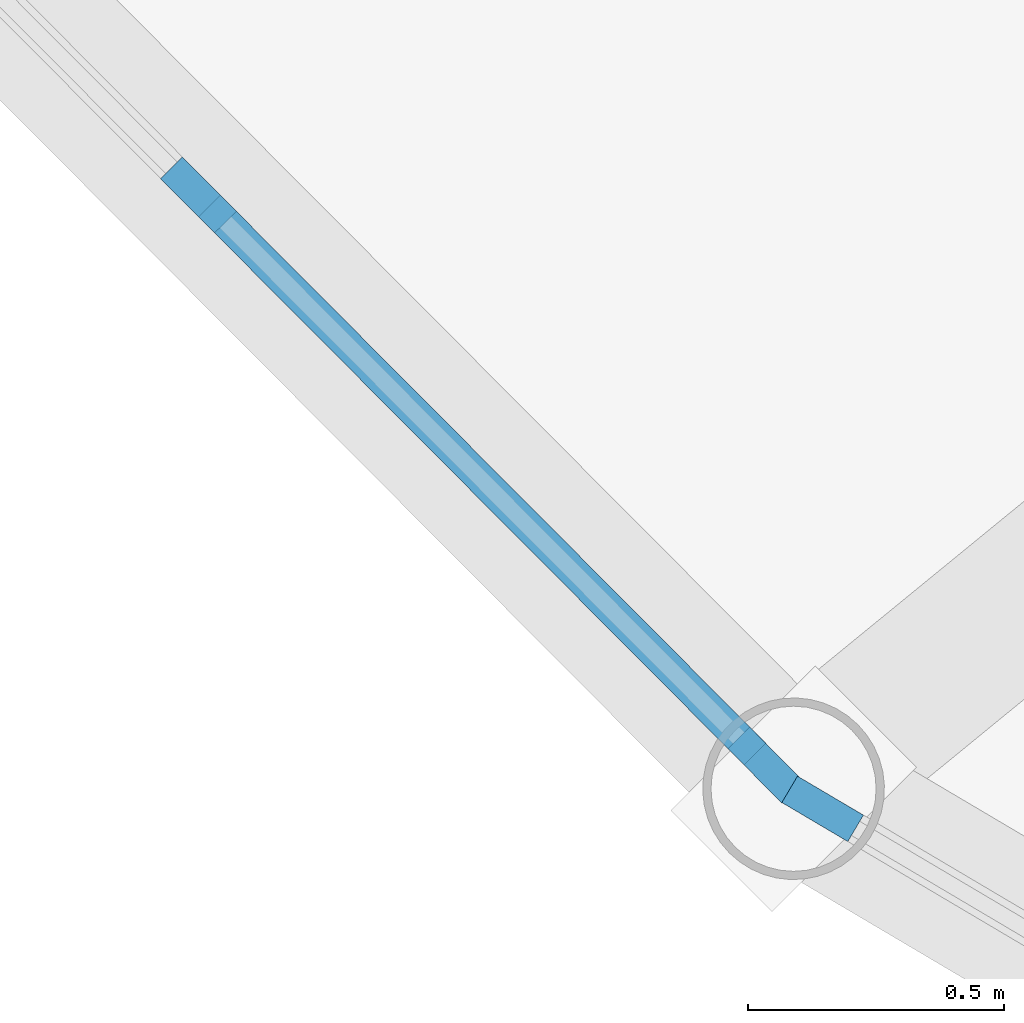
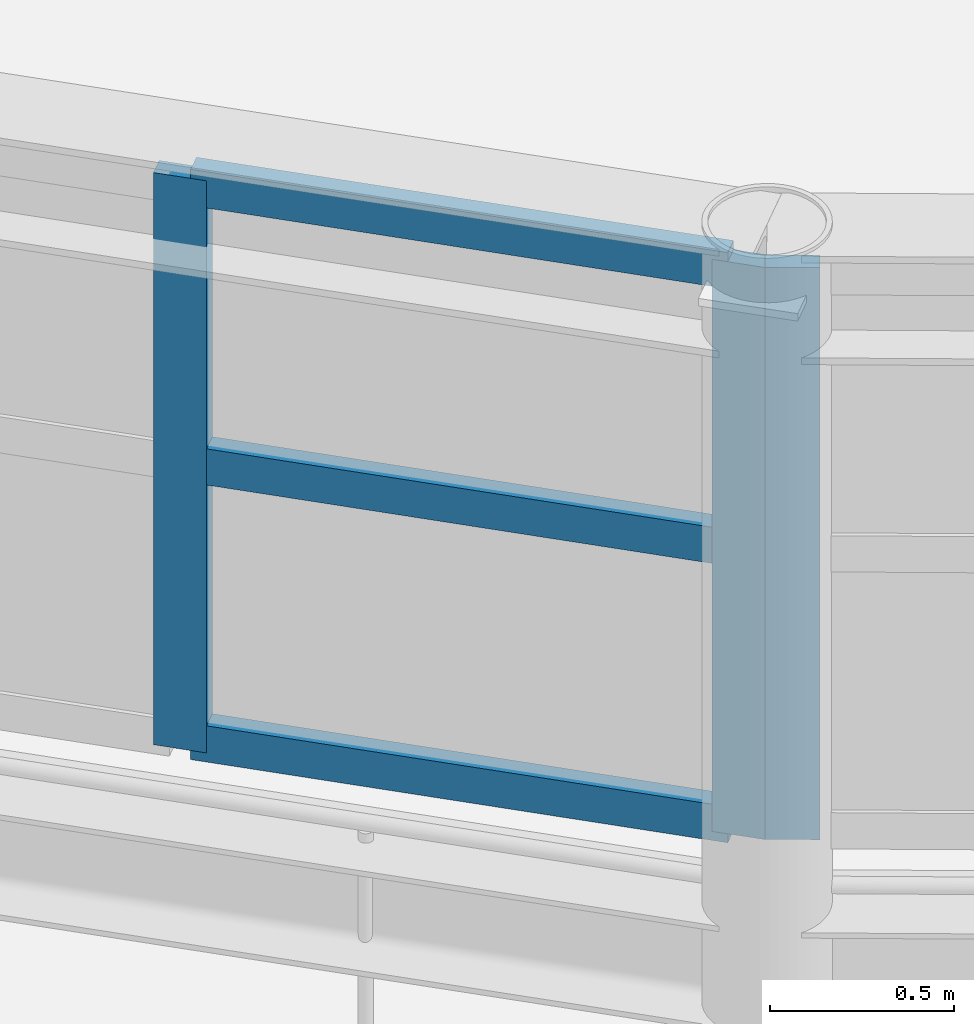
# One storey, part 30 of 123: 6 members, 2 elements without a shape of their own.
"""IFC4 building model written with IfcOpenShell, lengths in metres."""

from ifc_helpers import new_model, si_unit, direction, frame, origin, origin_2d, place, context, subcontext, project, spatial, rectangle, extrude, material, material_profile, profile_set, type_object, element, aggregate, save


model = new_model("IFC4")

# Units and contexts
model_context = context("Model", 3, precision=1e-05, world=origin(), true_north=direction((0.0, 1.0)))
body_context = subcontext(model_context, "Body", "Model", "MODEL_VIEW")
ifc_project = project(units=[si_unit("LENGTHUNIT", "METRE"), si_unit("AREAUNIT", "SQUARE_METRE"), si_unit("VOLUMEUNIT", "CUBIC_METRE"), si_unit("PLANEANGLEUNIT", "RADIAN"), si_unit("MASSUNIT", "GRAM", prefix="KILO")], contexts=[model_context])

# Site, building, storey
site_placement = place(None, origin())
site = spatial("IfcSite", under=ifc_project, at=site_placement, CompositionType="ELEMENT")
building_placement = place(site_placement, origin())
building = spatial("IfcBuilding", under=site, at=building_placement, Name="Kildeholm Park Wholesale Market", CompositionType="ELEMENT")
storey_placement = place(building_placement, frame((0.0, 0.0, 9.60009765625)))
storey = spatial("IfcBuildingStorey", under=building, at=storey_placement, Name="L02", CompositionType="ELEMENT", Elevation=9.60009765625)

# Curtain wall, members
ifc_material_1 = material(Name="Anodised aluminium and low-E double-glazed glass", Category="aluminium")
curtain_wall_type = type_object("IfcCurtainWallType", Name="Clerestory daylight stick curtain wall CW-02", PredefinedType="NOTDEFINED", material=ifc_material_1)
curtain_wall_1_placement = place(storey_placement, origin())
curtain_wall_1 = element("IfcCurtainWall", 1, at=curtain_wall_1_placement, inside=storey, type_object=curtain_wall_type, Name="Curtain wall CW-V1-CL-14 CW-0070", PredefinedType="NOTDEFINED")
ifc_material_2 = material(Name="Anodised aluminium", Category="aluminium")
ifc_material_profile_1 = material_profile(ifc_material_2, rectangle(XDim=0.06005859375, YDim=0.14990234375, at=origin_2d()), Name="CWM 60x150")
ifc_profile_set_1 = profile_set([ifc_material_profile_1], Name="Anodised aluminium")
member_type_1 = type_object("IfcMemberType", Name="Curtain-wall mullion CWM-3 CWM 60x150", PredefinedType="MULLION", material=ifc_profile_set_1)
member_1_placement = place(storey_placement, frame((62.33837890625, 63.297119140625, 1.349853515625), z_axis=(0.0, 0.0, 1.0), x_axis=(0.708796820959, 0.705412692399, 0.0)))
member_1 = element("IfcMember", 2, at=member_1_placement, type_object=member_type_1, Name="CW-02 mullion 7 MEM-2289", PredefinedType="MULLION", context=body_context, shape_type="SweptSolid", body=[
    extrude(rectangle(XDim=0.06005859375, YDim=0.14990234375, at=origin_2d()), origin(), (0.0, 0.0, 1.0), 1.900146484375),
])
member_2_placement = place(storey_placement, frame((63.44873046875, 62.18115234375, 1.349853515625), z_axis=(0.0, 0.0, 1.0), x_axis=(0.708796820959, 0.705412692399, 0.0)))
member_2 = element("IfcMember", 3, at=member_2_placement, type_object=member_type_1, Name="CW-02 mullion 8 MEM-2290", PredefinedType="MULLION", context=body_context, shape_type="SweptSolid", body=[
    extrude(rectangle(XDim=0.06005859375, YDim=0.14990234375, at=origin_2d()), origin(), (0.0, 0.0, 1.0), 1.900146484375),
])

# Curtain wall, member
curtain_wall_2_placement = place(storey_placement, origin())
curtain_wall_2 = element("IfcCurtainWall", 4, at=curtain_wall_2_placement, inside=storey, type_object=curtain_wall_type, Name="Curtain wall CW-V1-CL-15 CW-0075", PredefinedType="NOTDEFINED")
member_3_placement = place(storey_placement, frame((63.559814453125, 62.095703125, 1.349853515625), z_axis=(0.0, 0.0, 1.0), x_axis=(0.509105492275, 0.860704129033, 0.0)))
member_3 = element("IfcMember", 5, at=member_3_placement, type_object=member_type_1, Name="CW-02 mullion 1 MEM-2412", PredefinedType="MULLION", context=body_context, shape_type="SweptSolid", body=[
    extrude(rectangle(XDim=0.06005859375, YDim=0.14990234375, at=origin_2d()), origin(), (0.0, 0.0, 1.0), 1.900146484375),
])
aggregate(curtain_wall_2, [member_3])

# Member
ifc_material_profile_2 = material_profile(ifc_material_2, rectangle(XDim=0.06005859375, YDim=0.1201171875, at=origin_2d()), Name="CWT 60x120")
ifc_profile_set_2 = profile_set([ifc_material_profile_2], Name="Anodised aluminium")
member_type_2 = type_object("IfcMemberType", Name="Curtain-wall transom CWT-3 CWT 60x120", PredefinedType="USERDEFINED", material=ifc_profile_set_2)
member_4_placement = place(storey_placement, frame((62.359619140625, 63.275634765625, 1.3798828125), z_axis=(0.705492388442, -0.708717496504, 0.0), x_axis=(0.708717496504, 0.705492388442, 0.0)))
member_4 = element("IfcMember", 6, at=member_4_placement, type_object=member_type_2, Name="CW-02 transom 7.1 MEM-2309", ObjectType="TRANSOM", PredefinedType="USERDEFINED", context=body_context, shape_type="SweptSolid", body=[
    extrude(rectangle(XDim=0.06005859375, YDim=0.1201171875, at=origin_2d()), origin(), (0.0, 0.0, 1.0), 1.513916015625),
])

member_5_placement = place(storey_placement, frame((62.359619140625, 63.275634765625, 2.2998046875), z_axis=(0.705492388442, -0.708717496504, 0.0), x_axis=(0.708717496504, 0.705492388442, 0.0)))
member_5 = element("IfcMember", 7, at=member_5_placement, type_object=member_type_2, Name="CW-02 transom 7.2 MEM-2310", ObjectType="TRANSOM", PredefinedType="USERDEFINED", context=body_context, shape_type="SweptSolid", body=[
    extrude(rectangle(XDim=0.06005859375, YDim=0.1201171875, at=origin_2d()), origin(), (0.0, 0.0, 1.0), 1.513916015625),
])

member_6_placement = place(storey_placement, frame((62.359619140625, 63.275634765625, 3.219970703125), z_axis=(0.705492388442, -0.708717496504, 0.0), x_axis=(0.708717496504, 0.705492388442, 0.0)))
member_6 = element("IfcMember", 8, at=member_6_placement, type_object=member_type_2, Name="CW-02 transom 7.3 MEM-2311", ObjectType="TRANSOM", PredefinedType="USERDEFINED", context=body_context, shape_type="SweptSolid", body=[
    extrude(rectangle(XDim=0.06005859375, YDim=0.1201171875, at=origin_2d()), origin(), (0.0, 0.0, 1.0), 1.513916015625),
])

aggregate(curtain_wall_1, [member_1, member_2, member_4, member_5, member_6])

save(model, "model.ifc")
